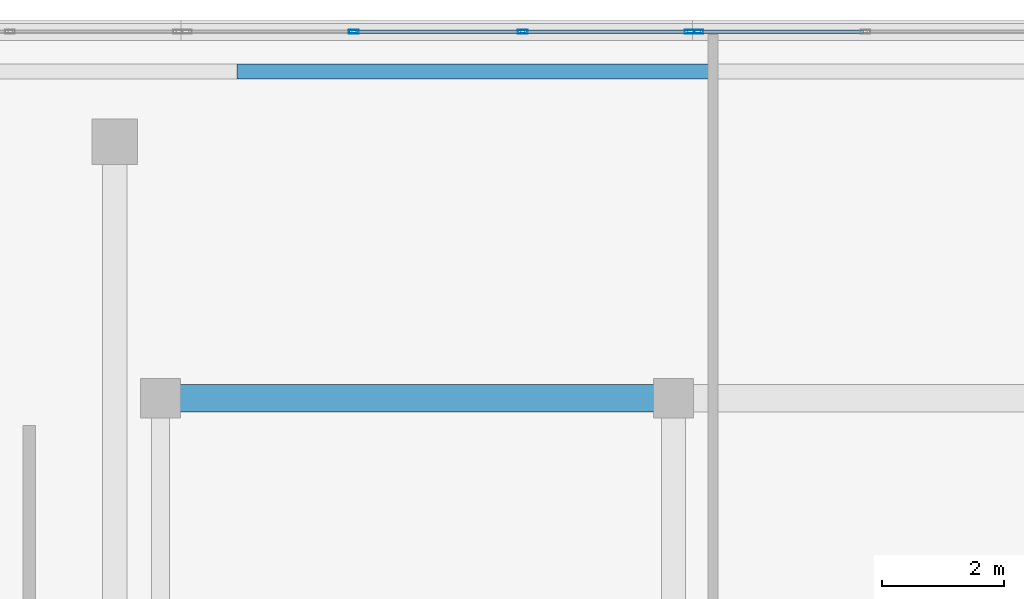
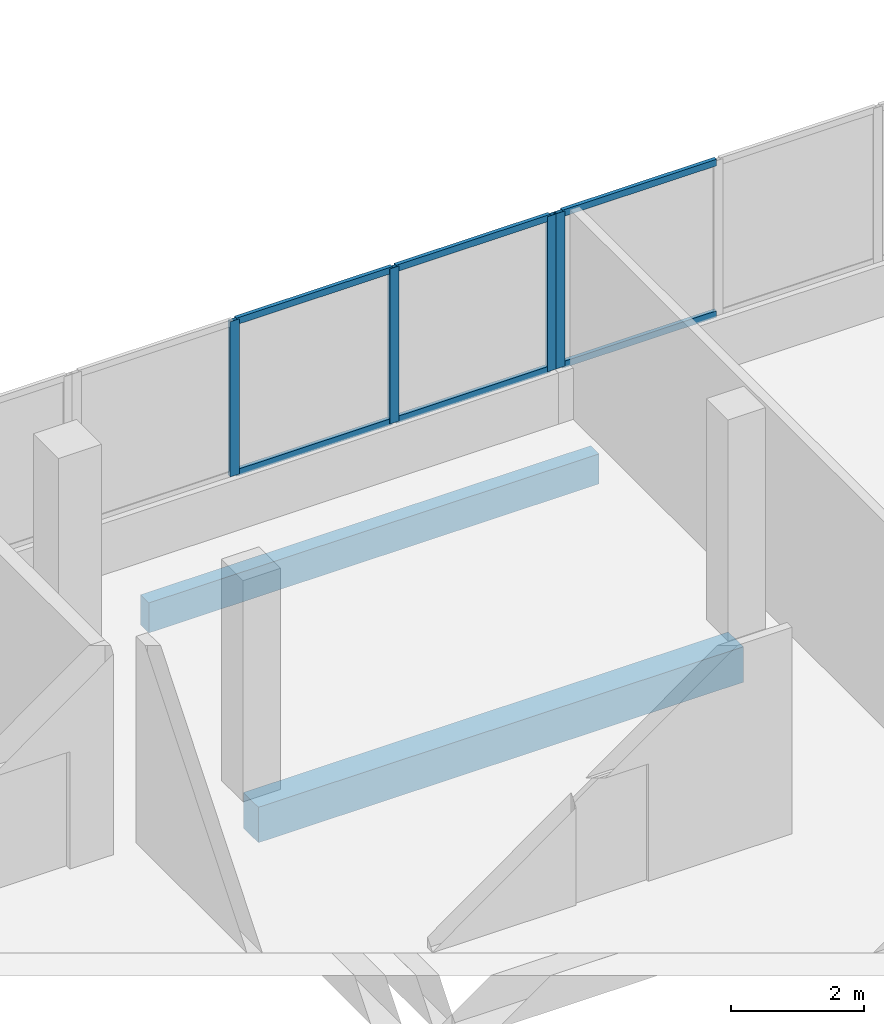
# One storey, part 57 of 76: 10 members, 2 beams, 2 elements without a shape of their own.
"""IFC4 building model written with IfcOpenShell, lengths in metres."""

from ifc_helpers import new_model, si_unit, direction, frame, origin, origin_2d, place, context, subcontext, project, spatial, rectangle, hollow_rectangle, extrude, material, material_profile, profile_set, type_object, element, aggregate, save


model = new_model("IFC4")

# Units and contexts
model_context = context("Model", 3, precision=1e-05, world=origin(), true_north=direction((0.0, 1.0)))
body_context = subcontext(model_context, "Body", "Model", "MODEL_VIEW")
ifc_project = project(units=[si_unit("LENGTHUNIT", "METRE"), si_unit("AREAUNIT", "SQUARE_METRE"), si_unit("VOLUMEUNIT", "CUBIC_METRE"), si_unit("PLANEANGLEUNIT", "RADIAN"), si_unit("MASSUNIT", "GRAM", prefix="KILO")], contexts=[model_context])

# Site, building, storey
site_placement = place(None, origin())
site = spatial("IfcSite", under=ifc_project, at=site_placement, CompositionType="ELEMENT")
building_placement = place(site_placement, origin())
building = spatial("IfcBuilding", under=site, at=building_placement, Name="Selatvlak General Hospital", CompositionType="ELEMENT")
storey_placement = place(building_placement, frame((0.0, 0.0, 27.300048828125)))
storey = spatial("IfcBuildingStorey", under=building, at=storey_placement, Name="L06", CompositionType="ELEMENT", Elevation=27.300048828125)

# Beams
ifc_material_1 = material(Name="Concrete C40/50", Category="concrete")
ifc_material_profile_1 = material_profile(ifc_material_1, rectangle(XDim=0.449951171875, YDim=0.64990234375, at=origin_2d()), Name="RC-BM 450x650")
ifc_profile_set_1 = profile_set([ifc_material_profile_1], Name="Concrete C40/50")
beam_type_1 = type_object("IfcBeamType", Name="BM-G04", PredefinedType="BEAM", material=ifc_profile_set_1)
beam_1_placement = place(storey_placement, frame((148.14990234375, 114.0, -0.60009765625), z_axis=(1.0, 0.0, 0.0), x_axis=(0.0, 1.0, 0.0)))
element("IfcBeam", 1, at=beam_1_placement, inside=storey, type_object=beam_type_1, Name="Beam BMR-L06-2226", PredefinedType="BEAM", context=body_context, shape_type="SweptSolid", body=[
    extrude(rectangle(XDim=0.449951171875, YDim=0.64990234375, at=origin_2d()), origin(), (0.0, 0.0, 1.0), 8.400146484375),
])
ifc_material_profile_2 = material_profile(ifc_material_1, rectangle(XDim=0.25, YDim=0.550048828125, at=origin_2d()), Name="RC-SP 250x550")
ifc_profile_set_2 = profile_set([ifc_material_profile_2], Name="Concrete C40/50")
beam_type_2 = type_object("IfcBeamType", Name="BM-SP2", PredefinedType="SPANDREL", material=ifc_profile_set_2)
beam_2_placement = place(storey_placement, frame((149.39990234375, 119.35009765625, -0.550048828125), z_axis=(1.0, 0.0, 0.0), x_axis=(0.0, 1.0, 0.0)))
element("IfcBeam", 2, at=beam_2_placement, inside=storey, type_object=beam_type_2, Name="Beam BMR-L06-2241", PredefinedType="SPANDREL", context=body_context, shape_type="SweptSolid", body=[
    extrude(rectangle(XDim=0.25, YDim=0.550048828125, at=origin_2d()), origin(), (0.0, 0.0, 1.0), 7.800048828125),
])

# Curtain wall, members
ifc_material_2 = material(Name="Solar-control Low-E double glazing", Category="glass")
curtain_wall_type_1 = type_object("IfcCurtainWallType", Name="CW-CW-01", PredefinedType="USERDEFINED", material=ifc_material_2)
curtain_wall_1_placement = place(storey_placement, origin())
curtain_wall_1 = element("IfcCurtainWall", 3, at=curtain_wall_1_placement, inside=storey, type_object=curtain_wall_type_1, Name="Glazed facade curtain wall CW-L06-0613", ObjectType="UNITISED CURTAIN WALL", PredefinedType="USERDEFINED")
ifc_material_3 = material(Name="Dark anodised aluminium mullion", Category="aluminium")
ifc_material_profile_3 = material_profile(ifc_material_3, hollow_rectangle(XDim=0.06494140625, YDim=0.159912109375, WallThickness=0.00390625, at=origin_2d()), Name="AL-MUL 65x160x4")
ifc_profile_set_3 = profile_set([ifc_material_profile_3], Name="Dark anodised aluminium mullion")
member_type_1 = type_object("IfcMemberType", Name="CWM-01", PredefinedType="MULLION", material=ifc_profile_set_3)
member_1_placement = place(storey_placement, frame((151.314453125, 120.0, 0.93994140625), z_axis=(0.0, 0.0, 1.0), x_axis=(0.0, 1.0, 0.0)))
member_1 = element("IfcMember", 4, at=member_1_placement, type_object=member_type_1, Name="CW-01 mullion 2", PredefinedType="MULLION", context=body_context, shape_type="SweptSolid", body=[
    extrude(hollow_rectangle(XDim=0.06494140625, YDim=0.159912109375, WallThickness=0.00390625, at=origin_2d()), origin(), (0.0, 0.0, 1.0), 2.840087890625),
])
member_2_placement = place(storey_placement, frame((154.08056640625, 120.0, 0.93994140625), z_axis=(0.0, 0.0, 1.0), x_axis=(0.0, 1.0, 0.0)))
member_2 = element("IfcMember", 5, at=member_2_placement, type_object=member_type_1, Name="CW-01 mullion 3", PredefinedType="MULLION", context=body_context, shape_type="SweptSolid", body=[
    extrude(hollow_rectangle(XDim=0.06494140625, YDim=0.159912109375, WallThickness=0.00390625, at=origin_2d()), origin(), (0.0, 0.0, 1.0), 2.840087890625),
])
member_3_placement = place(storey_placement, frame((156.814453125, 120.0, 0.93994140625), z_axis=(0.0, 0.0, 1.0), x_axis=(0.0, 1.0, 0.0)))
member_3 = element("IfcMember", 6, at=member_3_placement, type_object=member_type_1, Name="CW-01 mullion 4", PredefinedType="MULLION", context=body_context, shape_type="SweptSolid", body=[
    extrude(hollow_rectangle(XDim=0.06494140625, YDim=0.159912109375, WallThickness=0.00390625, at=origin_2d()), origin(), (0.0, 0.0, 1.0), 2.840087890625),
])

# Curtain wall, member
curtain_wall_type_2 = type_object("IfcCurtainWallType", Name="CW-CW-02", PredefinedType="USERDEFINED", material=ifc_material_2)
curtain_wall_2_placement = place(storey_placement, origin())
curtain_wall_2 = element("IfcCurtainWall", 7, at=curtain_wall_2_placement, inside=storey, type_object=curtain_wall_type_2, Name="Glazed facade curtain wall CW-L06-0614", ObjectType="UNITISED CURTAIN WALL", PredefinedType="USERDEFINED")
member_4_placement = place(storey_placement, frame((156.95947265625, 120.0, 0.93994140625), z_axis=(0.0, 0.0, 1.0), x_axis=(0.0, 1.0, 0.0)))
member_4 = element("IfcMember", 8, at=member_4_placement, type_object=member_type_1, Name="CW-02 mullion 1", PredefinedType="MULLION", context=body_context, shape_type="SweptSolid", body=[
    extrude(hollow_rectangle(XDim=0.06494140625, YDim=0.159912109375, WallThickness=0.00390625, at=origin_2d()), origin(), (0.0, 0.0, 1.0), 2.840087890625),
])

# Member
ifc_material_profile_4 = material_profile(ifc_material_3, hollow_rectangle(XDim=0.06494140625, YDim=0.1201171875, WallThickness=0.00390625, at=origin_2d()), Name="AL-TRN 65x120x4")
ifc_profile_set_4 = profile_set([ifc_material_profile_4], Name="Dark anodised aluminium mullion")
member_type_2 = type_object("IfcMemberType", Name="CWT-01", PredefinedType="USERDEFINED", material=ifc_profile_set_4)
member_5_placement = place(storey_placement, frame((151.346923828125, 120.0, 0.972412109375), z_axis=(1.0, 0.0, 0.0), x_axis=(0.0, 1.0, 0.0)))
member_5 = element("IfcMember", 9, at=member_5_placement, type_object=member_type_2, Name="CW-01 transom 2.1", ObjectType="TRANSOM", PredefinedType="USERDEFINED", context=body_context, shape_type="SweptSolid", body=[
    extrude(hollow_rectangle(XDim=0.06494140625, YDim=0.1201171875, WallThickness=0.00390625, at=origin_2d()), origin(), (0.0, 0.0, 1.0), 2.701171875),
])

member_6_placement = place(storey_placement, frame((151.346923828125, 120.0, 3.74755859375), z_axis=(1.0, 0.0, 0.0), x_axis=(0.0, 1.0, 0.0)))
member_6 = element("IfcMember", 10, at=member_6_placement, type_object=member_type_2, Name="CW-01 transom 2.2", ObjectType="TRANSOM", PredefinedType="USERDEFINED", context=body_context, shape_type="SweptSolid", body=[
    extrude(hollow_rectangle(XDim=0.06494140625, YDim=0.1201171875, WallThickness=0.00390625, at=origin_2d()), origin(), (0.0, 0.0, 1.0), 2.701171875),
])

member_7_placement = place(storey_placement, frame((154.11328125, 120.0, 0.972412109375), z_axis=(1.0, 0.0, 0.0), x_axis=(0.0, 1.0, 0.0)))
member_7 = element("IfcMember", 11, at=member_7_placement, type_object=member_type_2, Name="CW-01 transom 3.1", ObjectType="TRANSOM", PredefinedType="USERDEFINED", context=body_context, shape_type="SweptSolid", body=[
    extrude(hollow_rectangle(XDim=0.06494140625, YDim=0.1201171875, WallThickness=0.00390625, at=origin_2d()), origin(), (0.0, 0.0, 1.0), 2.668701171875),
])

member_8_placement = place(storey_placement, frame((154.11328125, 120.0, 3.74755859375), z_axis=(1.0, 0.0, 0.0), x_axis=(0.0, 1.0, 0.0)))
member_8 = element("IfcMember", 12, at=member_8_placement, type_object=member_type_2, Name="CW-01 transom 3.2", ObjectType="TRANSOM", PredefinedType="USERDEFINED", context=body_context, shape_type="SweptSolid", body=[
    extrude(hollow_rectangle(XDim=0.06494140625, YDim=0.1201171875, WallThickness=0.00390625, at=origin_2d()), origin(), (0.0, 0.0, 1.0), 2.668701171875),
])

aggregate(curtain_wall_1, [member_1, member_2, member_3, member_5, member_6, member_7, member_8])

member_9_placement = place(storey_placement, frame((156.991943359375, 120.0, 0.972412109375), z_axis=(1.0, 0.0, 0.0), x_axis=(0.0, 1.0, 0.0)))
member_9 = element("IfcMember", 13, at=member_9_placement, type_object=member_type_2, Name="CW-02 transom 1.1", ObjectType="TRANSOM", PredefinedType="USERDEFINED", context=body_context, shape_type="SweptSolid", body=[
    extrude(hollow_rectangle(XDim=0.06494140625, YDim=0.1201171875, WallThickness=0.00390625, at=origin_2d()), origin(), (0.0, 0.0, 1.0), 2.6689453125),
])

member_10_placement = place(storey_placement, frame((156.991943359375, 120.0, 3.74755859375), z_axis=(1.0, 0.0, 0.0), x_axis=(0.0, 1.0, 0.0)))
member_10 = element("IfcMember", 14, at=member_10_placement, type_object=member_type_2, Name="CW-02 transom 1.2", ObjectType="TRANSOM", PredefinedType="USERDEFINED", context=body_context, shape_type="SweptSolid", body=[
    extrude(hollow_rectangle(XDim=0.06494140625, YDim=0.1201171875, WallThickness=0.00390625, at=origin_2d()), origin(), (0.0, 0.0, 1.0), 2.6689453125),
])

aggregate(curtain_wall_2, [member_4, member_9, member_10])

save(model, "model.ifc")
